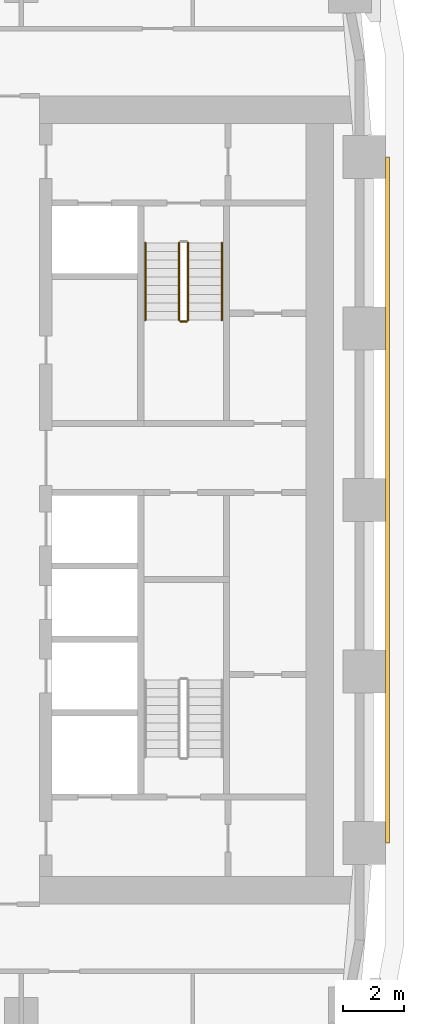
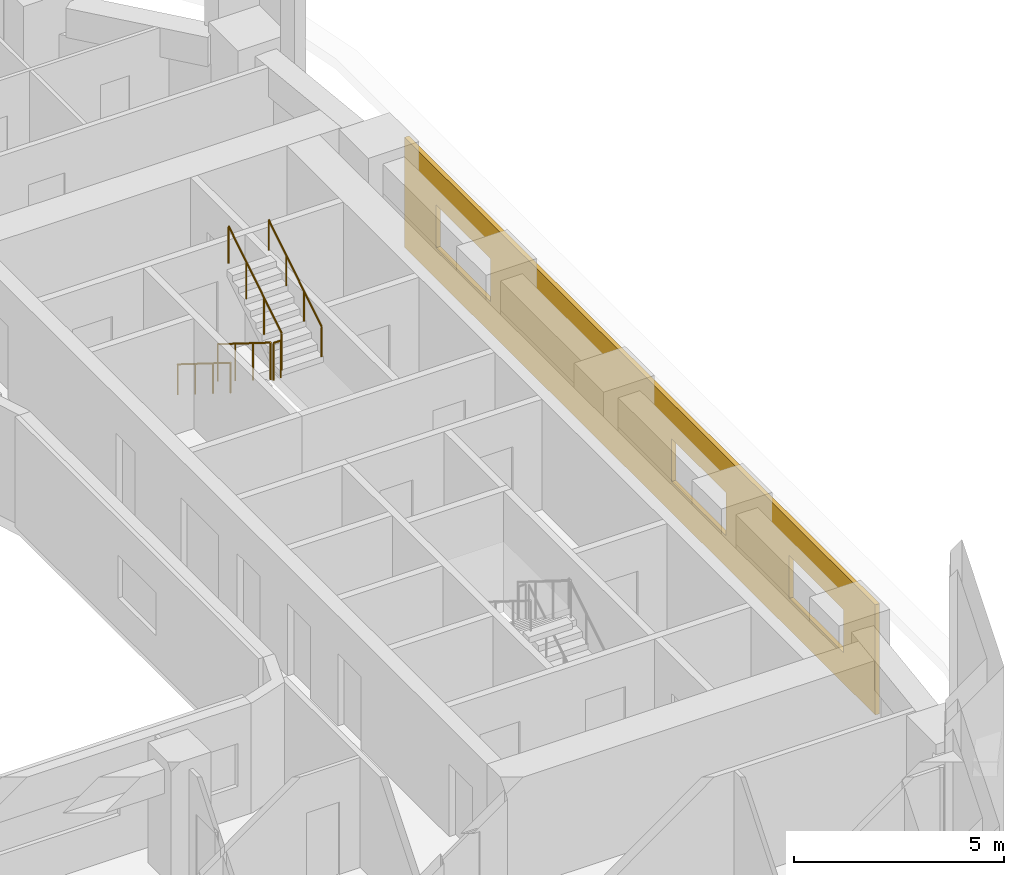
# One storey, part 19 of 22: 5 railings, 1 covering.
"""IFC4 building model written with IfcOpenShell, lengths in metres."""

from ifc_helpers import new_model, si_unit, direction, frame, origin, origin_2d, place, context, subcontext, project, spatial, polyline, circle, outline, extrude, material, layer, layer_set, type_object, element, save


model = new_model("IFC4")

# Units and contexts
model_context = context("Model", 3, precision=1e-05, world=origin(), true_north=direction((0.0, 1.0)))
body_context = subcontext(model_context, "Body", "Model", "MODEL_VIEW")
ifc_project = project(units=[si_unit("LENGTHUNIT", "METRE"), si_unit("AREAUNIT", "SQUARE_METRE"), si_unit("VOLUMEUNIT", "CUBIC_METRE"), si_unit("PLANEANGLEUNIT", "RADIAN"), si_unit("MASSUNIT", "GRAM", prefix="KILO")], contexts=[model_context])

# Site, building, storey
site_placement = place(None, origin())
site = spatial("IfcSite", under=ifc_project, at=site_placement, CompositionType="ELEMENT")
building_placement = place(site_placement, origin())
building = spatial("IfcBuilding", under=site, at=building_placement, Name="Kiln Ring Residences", CompositionType="ELEMENT")
storey_placement = place(building_placement, frame((0.0, 0.0, 55.0)))
storey = spatial("IfcBuildingStorey", under=building, at=storey_placement, Name="L13", CompositionType="ELEMENT", Elevation=55.0)

# Railings
ifc_material_1 = material(Name="Stainless steel", Category="steel")
railing_type_1 = type_object("IfcRailingType", Name="CORE-STAIR-GUARD", PredefinedType="GUARDRAIL", material=ifc_material_1)
railing_1_placement = place(storey_placement, frame((21.949951171875, 8.39990234375, 0.175048828125)))
element("IfcRailing", 1, at=railing_1_placement, inside=storey, type_object=railing_type_1, Name="L13 E-STN stair guard 1", PredefinedType="GUARDRAIL", context=body_context, shape_type="SweptSolid", body=[
    extrude(circle(Radius=0.02392578125, at=origin_2d()), frame((0.0, 0.0, 1.076171875), z_axis=(0.0, -0.848007534815, 0.529984170421), x_axis=(1.0, 0.0, 0.0)), (0.0, 0.0, 1.0), 2.9716796875),
    extrude(circle(Radius=0.02099609375, at=origin_2d()), origin(), (0.0, 0.0, 1.0), 1.052001953125),
    extrude(circle(Radius=0.02099609375, at=origin_2d()), frame((0.0, -0.840087890625, 0.52490234375)), (0.0, 0.0, 1.0), 1.052001953125),
    extrude(circle(Radius=0.02099609375, at=origin_2d()), frame((0.0, -1.679931640625, 1.050048828125)), (0.0, 0.0, 1.0), 1.052001953125),
    extrude(circle(Radius=0.02099609375, at=origin_2d()), frame((0.0, -2.52001953125, 1.574951171875)), (0.0, 0.0, 1.0), 1.052001953125),
])
railing_2_placement = place(storey_placement, frame((22.0, 5.830078125, 1.75)))
element("IfcRailing", 2, at=railing_2_placement, inside=storey, type_object=railing_type_1, Name="L13 E-STN stair guard 2", PredefinedType="GUARDRAIL", context=body_context, shape_type="SweptSolid", body=[
    extrude(circle(Radius=0.02392578125, at=origin_2d()), frame((0.0, 0.0, 1.076171875), z_axis=(1.0, 0.0, 0.0), x_axis=(0.0, 1.0, 0.0)), (0.0, 0.0, 1.0), 0.199951171875),
    extrude(circle(Radius=0.02099609375, at=origin_2d()), origin(), (0.0, 0.0, 1.0), 1.052001953125),
    extrude(circle(Radius=0.02099609375, at=origin_2d()), frame((0.199951171875, 0.0, 0.0)), (0.0, 0.0, 1.0), 1.052001953125),
])
railing_3_placement = place(storey_placement, frame((22.25, 5.8798828125, 1.925048828125)))
element("IfcRailing", 3, at=railing_3_placement, inside=storey, type_object=railing_type_1, Name="L13 E-STN stair guard 3", PredefinedType="GUARDRAIL", context=body_context, shape_type="SweptSolid", body=[
    extrude(circle(Radius=0.02392578125, at=origin_2d()), frame((0.0, 0.0, 1.076171875), z_axis=(0.0, 0.848007534815, 0.529984170421), x_axis=(-1.0, 0.0, 0.0)), (0.0, 0.0, 1.0), 2.9716796875),
    extrude(circle(Radius=0.02099609375, at=origin_2d()), origin(), (0.0, 0.0, 1.0), 1.052001953125),
    extrude(circle(Radius=0.02099609375, at=origin_2d()), frame((0.0, 0.840087890625, 0.52490234375)), (0.0, 0.0, 1.0), 1.052001953125),
    extrude(circle(Radius=0.02099609375, at=origin_2d()), frame((0.0, 1.679931640625, 1.050048828125)), (0.0, 0.0, 1.0), 1.052001953125),
    extrude(circle(Radius=0.02099609375, at=origin_2d()), frame((0.0, 2.52001953125, 1.574951171875)), (0.0, 0.0, 1.0), 1.052001953125),
])
ifc_material_2 = material(Name="Stainless steel", Category="steel")
railing_type_2 = type_object("IfcRailingType", Name="CORE-STAIR-HANDRAIL", PredefinedType="HANDRAIL", material=ifc_material_2)
railing_4_placement = place(storey_placement, frame((20.85009765625, 8.39990234375, 0.175048828125)))
element("IfcRailing", 4, at=railing_4_placement, inside=storey, type_object=railing_type_2, Name="L13 E-STN stair handrail 1", PredefinedType="HANDRAIL", context=body_context, shape_type="SweptSolid", body=[
    extrude(circle(Radius=0.02392578125, at=origin_2d()), frame((0.0, 0.0, 0.8759765625), z_axis=(0.0, -0.848007534815, 0.529984170421), x_axis=(1.0, 0.0, 0.0)), (0.0, 0.0, 1.0), 2.9716796875),
    extrude(circle(Radius=0.02099609375, at=origin_2d()), origin(), (0.0, 0.0, 1.0), 0.851806640625),
    extrude(circle(Radius=0.02099609375, at=origin_2d()), frame((0.0, -0.840087890625, 0.52490234375)), (0.0, 0.0, 1.0), 0.851806640625),
    extrude(circle(Radius=0.02099609375, at=origin_2d()), frame((0.0, -1.679931640625, 1.050048828125)), (0.0, 0.0, 1.0), 0.851806640625),
    extrude(circle(Radius=0.02099609375, at=origin_2d()), frame((0.0, -2.52001953125, 1.574951171875)), (0.0, 0.0, 1.0), 0.851806640625),
])
railing_5_placement = place(storey_placement, frame((23.35009765625, 5.8798828125, 1.925048828125)))
element("IfcRailing", 5, at=railing_5_placement, inside=storey, type_object=railing_type_2, Name="L13 E-STN stair handrail 2", PredefinedType="HANDRAIL", context=body_context, shape_type="SweptSolid", body=[
    extrude(circle(Radius=0.02392578125, at=origin_2d()), frame((0.0, 0.0, 0.8759765625), z_axis=(0.0, 0.848007534815, 0.529984170421), x_axis=(-1.0, 0.0, 0.0)), (0.0, 0.0, 1.0), 2.9716796875),
    extrude(circle(Radius=0.02099609375, at=origin_2d()), origin(), (0.0, 0.0, 1.0), 0.851806640625),
    extrude(circle(Radius=0.02099609375, at=origin_2d()), frame((0.0, 0.840087890625, 0.52490234375)), (0.0, 0.0, 1.0), 0.851806640625),
    extrude(circle(Radius=0.02099609375, at=origin_2d()), frame((0.0, 1.679931640625, 1.050048828125)), (0.0, 0.0, 1.0), 0.851806640625),
    extrude(circle(Radius=0.02099609375, at=origin_2d()), frame((0.0, 2.52001953125, 1.574951171875)), (0.0, 0.0, 1.0), 0.851806640625),
])

# Covering
ifc_material_3 = material(Name="Brick masonry, dark clay brick", Category="masonry")
ifc_layer = layer(ifc_material_3, 0.1201171875)
ifc_layer_set = layer_set([ifc_layer], Name="RAINSCREEN PANEL 120")
covering_type = type_object("IfcCoveringType", Name="RAINSCREEN PANEL 120", PredefinedType="CLADDING", material=ifc_layer_set)
covering_placement = place(storey_placement, frame((28.760009765625, -11.199951171875, 0.0), z_axis=(0.0, 0.0, 1.0), x_axis=(0.0, 1.0, 0.0)))
element("IfcCovering", 6, at=covering_placement, inside=storey, type_object=covering_type, Name="RAINSCREEN L13", PredefinedType="CLADDING", context=body_context, shape_type="SweptSolid", body=[
    extrude(outline(polyline([(0.0, 0.0), (22.39990234375, 0.0), (22.39990234375, 3.199951171875), (0.0, 3.199951171875), (0.0, 0.0)]), holes=[polyline([(4.10009765625, 2.14990234375), (1.5, 2.14990234375), (1.5, 0.89990234375), (4.10009765625, 0.89990234375), (4.10009765625, 2.14990234375)]), polyline([(9.699951171875, 0.89990234375), (9.699951171875, 2.14990234375), (7.10009765625, 2.14990234375), (7.10009765625, 0.89990234375), (9.699951171875, 0.89990234375)]), polyline([(20.89990234375, 0.89990234375), (20.89990234375, 2.14990234375), (18.300048828125, 2.14990234375), (18.300048828125, 0.89990234375), (20.89990234375, 0.89990234375)])]), frame((0.0, 0.06005859375, 0.0), z_axis=(0.0, -1.0, 0.0), x_axis=(1.0, 0.0, 0.0)), (0.0, 0.0, 1.0), 0.1201171875),
])

save(model, "model.ifc")
